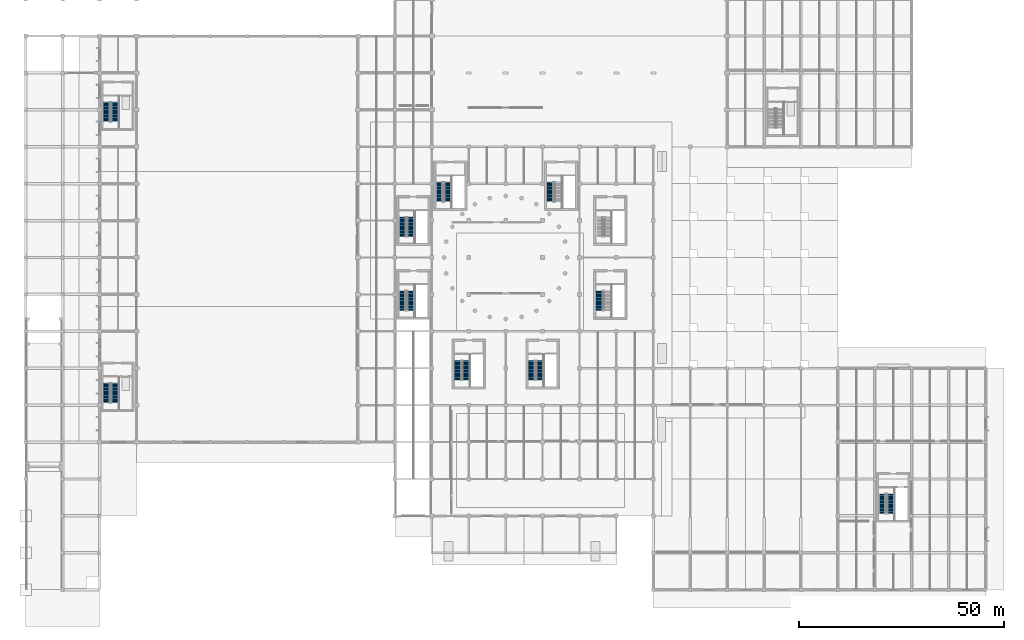
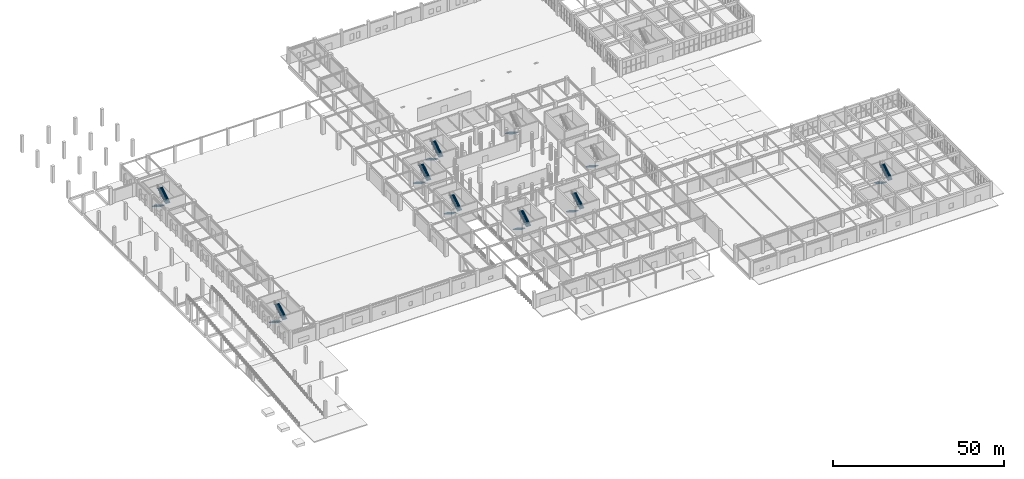
# One storey, part 70 of 91: 18 stair flights, 10 elements without a shape of their own.
"""IFC4 building model written with IfcOpenShell, lengths in metres."""

from ifc_helpers import new_model, si_unit, direction, frame, origin, place, context, subcontext, project, spatial, polyline, outline, extrude, material, layer, layer_set, type_object, element, aggregate, save


model = new_model("IFC4")

# Units and contexts
model_context = context("Model", 3, precision=1e-05, world=origin(), true_north=direction((0.0, 1.0)))
body_context = subcontext(model_context, "Body", "Model", "MODEL_VIEW")
ifc_project = project(units=[si_unit("LENGTHUNIT", "METRE"), si_unit("AREAUNIT", "SQUARE_METRE"), si_unit("VOLUMEUNIT", "CUBIC_METRE"), si_unit("PLANEANGLEUNIT", "RADIAN"), si_unit("MASSUNIT", "GRAM", prefix="KILO")], contexts=[model_context])

# Site, building, storey
site_placement = place(None, origin())
site = spatial("IfcSite", under=ifc_project, at=site_placement, CompositionType="ELEMENT")
building_placement = place(site_placement, origin())
building = spatial("IfcBuilding", under=site, at=building_placement, Name="Dornveld Trade and Exhibition Forum", CompositionType="ELEMENT")
storey_placement = place(building_placement, origin())
storey = spatial("IfcBuildingStorey", under=building, at=storey_placement, Name="L00", CompositionType="ELEMENT", Elevation=0.0)

# Stair, stair flights
ifc_material_1 = material(Name="Concrete C40/50", Category="concrete")
stair_type_1 = type_object("IfcStairType", Name="ST-2RET-600A", PredefinedType="HALF_TURN_STAIR", material=ifc_material_1)
stair_1_placement = place(storey_placement, origin())
stair_1 = element("IfcStair", 1, at=stair_1_placement, inside=storey, type_object=stair_type_1, Name="CORE-03 escape stair L00 to L01", PredefinedType="HALF_TURN_STAIR")
ifc_material_2 = material(Name="Concrete C40/50", Category="concrete")
ifc_layer_1 = layer(ifc_material_2, 0.179931640625)
ifc_layer_set_1 = layer_set([ifc_layer_1], Name="Concrete C40/50")
stair_flight_type_1 = type_object("IfcStairFlightType", Name="STF-155", PredefinedType="STRAIGHT", material=ifc_layer_set_1)
stair_flight_1_placement = place(storey_placement, frame((100.8798828125, 99.35009765625, 0.0), z_axis=(0.0, 0.0, 1.0), x_axis=(0.0, -1.0, 0.0)))
stair_flight_1 = element("IfcStairFlight", 2, at=stair_flight_1_placement, type_object=stair_flight_type_1, Name="ST-03-L00 flight 1", NumberOfRisers=18, NumberOfTreads=17, PredefinedType="STRAIGHT", RiserHeight=0.166666667, TreadLength=0.28, context=body_context, shape_type="SweptSolid", body=[
    extrude(outline(polyline([(0.0, 0.0), (0.0, 0.166748046875), (0.280029296875, 0.166748046875), (0.280029296875, 0.333251953125), (0.56005859375, 0.333251953125), (0.56005859375, 0.5), (0.840087890625, 0.5), (0.840087890625, 0.666748046875), (1.1201171875, 0.666748046875), (1.1201171875, 0.833251953125), (1.39990234375, 0.833251953125), (1.39990234375, 1.0), (1.679931640625, 1.0), (1.679931640625, 1.166748046875), (1.9599609375, 1.166748046875), (1.9599609375, 1.333251953125), (2.239990234375, 1.333251953125), (2.239990234375, 1.5), (2.52001953125, 1.5), (2.52001953125, 1.666748046875), (2.800048828125, 1.666748046875), (2.800048828125, 1.833251953125), (3.080078125, 1.833251953125), (3.080078125, 2.0), (3.360107421875, 2.0), (3.360107421875, 2.166748046875), (3.639892578125, 2.166748046875), (3.639892578125, 2.333251953125), (3.919921875, 2.333251953125), (3.919921875, 2.5), (4.199951171875, 2.5), (4.199951171875, 2.666748046875), (4.47998046875, 2.666748046875), (4.47998046875, 2.833251953125), (4.760009765625, 2.833251953125), (4.760009765625, 3.0), (4.760009765625, 2.647216796875), (0.312744140625, 0.0), (0.0, 0.0)])), frame((0.0, 0.77490234375, 0.0), z_axis=(0.0, -1.0, 0.0), x_axis=(1.0, 0.0, 0.0)), (0.0, 0.0, 1.0), 1.550048828125),
])
stair_flight_2_placement = place(storey_placement, frame((102.820068359375, 94.590087890625, 3.0), z_axis=(0.0, 0.0, 1.0), x_axis=(0.0, 1.0, 0.0)))
stair_flight_2 = element("IfcStairFlight", 3, at=stair_flight_2_placement, type_object=stair_flight_type_1, Name="ST-03-L00 flight 2", NumberOfRisers=18, NumberOfTreads=17, PredefinedType="STRAIGHT", RiserHeight=0.166666667, TreadLength=0.28, context=body_context, shape_type="SweptSolid", body=[
    extrude(outline(polyline([(0.0, 0.0), (0.0, 0.166748046875), (0.280029296875, 0.166748046875), (0.280029296875, 0.333251953125), (0.56005859375, 0.333251953125), (0.56005859375, 0.5), (0.840087890625, 0.5), (0.840087890625, 0.666748046875), (1.1201171875, 0.666748046875), (1.1201171875, 0.833251953125), (1.39990234375, 0.833251953125), (1.39990234375, 1.0), (1.679931640625, 1.0), (1.679931640625, 1.166748046875), (1.9599609375, 1.166748046875), (1.9599609375, 1.333251953125), (2.239990234375, 1.333251953125), (2.239990234375, 1.5), (2.52001953125, 1.5), (2.52001953125, 1.666748046875), (2.800048828125, 1.666748046875), (2.800048828125, 1.833251953125), (3.080078125, 1.833251953125), (3.080078125, 2.0), (3.360107421875, 2.0), (3.360107421875, 2.166748046875), (3.639892578125, 2.166748046875), (3.639892578125, 2.333251953125), (3.919921875, 2.333251953125), (3.919921875, 2.5), (4.199951171875, 2.5), (4.199951171875, 2.666748046875), (4.47998046875, 2.666748046875), (4.47998046875, 2.833251953125), (4.760009765625, 2.833251953125), (4.760009765625, 3.0), (4.760009765625, 2.647216796875), (0.312744140625, 0.0), (0.0, 0.0)])), frame((0.0, 0.77490234375, 0.0), z_axis=(0.0, -1.0, 0.0), x_axis=(1.0, 0.0, 0.0)), (0.0, 0.0, 1.0), 1.550048828125),
])
aggregate(stair_1, [stair_flight_1, stair_flight_2])

stair_2_placement = place(storey_placement, origin())
stair_2 = element("IfcStair", 4, at=stair_2_placement, inside=storey, type_object=stair_type_1, Name="CORE-05 escape stair L00 to L01", PredefinedType="HALF_TURN_STAIR")
stair_flight_3_placement = place(storey_placement, frame((91.8798828125, 72.85009765625, 0.0), z_axis=(0.0, 0.0, 1.0), x_axis=(0.0, -1.0, 0.0)))
stair_flight_3 = element("IfcStairFlight", 5, at=stair_flight_3_placement, type_object=stair_flight_type_1, Name="ST-05-L00 flight 1", NumberOfRisers=18, NumberOfTreads=17, PredefinedType="STRAIGHT", RiserHeight=0.166666667, TreadLength=0.28, context=body_context, shape_type="SweptSolid", body=[
    extrude(outline(polyline([(0.0, 0.0), (0.0, 0.166748046875), (0.280029296875, 0.166748046875), (0.280029296875, 0.333251953125), (0.56005859375, 0.333251953125), (0.56005859375, 0.5), (0.840087890625, 0.5), (0.840087890625, 0.666748046875), (1.1201171875, 0.666748046875), (1.1201171875, 0.833251953125), (1.39990234375, 0.833251953125), (1.39990234375, 1.0), (1.679931640625, 1.0), (1.679931640625, 1.166748046875), (1.9599609375, 1.166748046875), (1.9599609375, 1.333251953125), (2.239990234375, 1.333251953125), (2.239990234375, 1.5), (2.52001953125, 1.5), (2.52001953125, 1.666748046875), (2.800048828125, 1.666748046875), (2.800048828125, 1.833251953125), (3.080078125, 1.833251953125), (3.080078125, 2.0), (3.360107421875, 2.0), (3.360107421875, 2.166748046875), (3.639892578125, 2.166748046875), (3.639892578125, 2.333251953125), (3.919921875, 2.333251953125), (3.919921875, 2.5), (4.199951171875, 2.5), (4.199951171875, 2.666748046875), (4.47998046875, 2.666748046875), (4.47998046875, 2.833251953125), (4.760009765625, 2.833251953125), (4.760009765625, 3.0), (4.760009765625, 2.647216796875), (0.312744140625, 0.0), (0.0, 0.0)])), frame((0.0, 0.77490234375, 0.0), z_axis=(0.0, -1.0, 0.0), x_axis=(1.0, 0.0, 0.0)), (0.0, 0.0, 1.0), 1.550048828125),
])
stair_flight_4_placement = place(storey_placement, frame((93.820068359375, 68.090087890625, 3.0), z_axis=(0.0, 0.0, 1.0), x_axis=(0.0, 1.0, 0.0)))
stair_flight_4 = element("IfcStairFlight", 6, at=stair_flight_4_placement, type_object=stair_flight_type_1, Name="ST-05-L00 flight 2", NumberOfRisers=18, NumberOfTreads=17, PredefinedType="STRAIGHT", RiserHeight=0.166666667, TreadLength=0.28, context=body_context, shape_type="SweptSolid", body=[
    extrude(outline(polyline([(0.0, 0.0), (0.0, 0.166748046875), (0.280029296875, 0.166748046875), (0.280029296875, 0.333251953125), (0.56005859375, 0.333251953125), (0.56005859375, 0.5), (0.840087890625, 0.5), (0.840087890625, 0.666748046875), (1.1201171875, 0.666748046875), (1.1201171875, 0.833251953125), (1.39990234375, 0.833251953125), (1.39990234375, 1.0), (1.679931640625, 1.0), (1.679931640625, 1.166748046875), (1.9599609375, 1.166748046875), (1.9599609375, 1.333251953125), (2.239990234375, 1.333251953125), (2.239990234375, 1.5), (2.52001953125, 1.5), (2.52001953125, 1.666748046875), (2.800048828125, 1.666748046875), (2.800048828125, 1.833251953125), (3.080078125, 1.833251953125), (3.080078125, 2.0), (3.360107421875, 2.0), (3.360107421875, 2.166748046875), (3.639892578125, 2.166748046875), (3.639892578125, 2.333251953125), (3.919921875, 2.333251953125), (3.919921875, 2.5), (4.199951171875, 2.5), (4.199951171875, 2.666748046875), (4.47998046875, 2.666748046875), (4.47998046875, 2.833251953125), (4.760009765625, 2.833251953125), (4.760009765625, 3.0), (4.760009765625, 2.647216796875), (0.312744140625, 0.0), (0.0, 0.0)])), frame((0.0, 0.77490234375, 0.0), z_axis=(0.0, -1.0, 0.0), x_axis=(1.0, 0.0, 0.0)), (0.0, 0.0, 1.0), 1.550048828125),
])
aggregate(stair_2, [stair_flight_3, stair_flight_4])

stair_3_placement = place(storey_placement, origin())
stair_3 = element("IfcStair", 7, at=stair_3_placement, inside=storey, type_object=stair_type_1, Name="CORE-07 escape stair L00 to L01", PredefinedType="HALF_TURN_STAIR")
stair_flight_5_placement = place(storey_placement, frame((123.3798828125, 55.85009765625, 0.0), z_axis=(0.0, 0.0, 1.0), x_axis=(0.0, -1.0, 0.0)))
stair_flight_5 = element("IfcStairFlight", 8, at=stair_flight_5_placement, type_object=stair_flight_type_1, Name="ST-07-L00 flight 1", NumberOfRisers=18, NumberOfTreads=17, PredefinedType="STRAIGHT", RiserHeight=0.166666667, TreadLength=0.28, context=body_context, shape_type="SweptSolid", body=[
    extrude(outline(polyline([(0.0, 0.0), (0.0, 0.166748046875), (0.280029296875, 0.166748046875), (0.280029296875, 0.333251953125), (0.56005859375, 0.333251953125), (0.56005859375, 0.5), (0.840087890625, 0.5), (0.840087890625, 0.666748046875), (1.1201171875, 0.666748046875), (1.1201171875, 0.833251953125), (1.39990234375, 0.833251953125), (1.39990234375, 1.0), (1.679931640625, 1.0), (1.679931640625, 1.166748046875), (1.9599609375, 1.166748046875), (1.9599609375, 1.333251953125), (2.239990234375, 1.333251953125), (2.239990234375, 1.5), (2.52001953125, 1.5), (2.52001953125, 1.666748046875), (2.800048828125, 1.666748046875), (2.800048828125, 1.833251953125), (3.080078125, 1.833251953125), (3.080078125, 2.0), (3.360107421875, 2.0), (3.360107421875, 2.166748046875), (3.639892578125, 2.166748046875), (3.639892578125, 2.333251953125), (3.919921875, 2.333251953125), (3.919921875, 2.5), (4.199951171875, 2.5), (4.199951171875, 2.666748046875), (4.47998046875, 2.666748046875), (4.47998046875, 2.833251953125), (4.760009765625, 2.833251953125), (4.760009765625, 3.0), (4.760009765625, 2.647216796875), (0.312744140625, 0.0), (0.0, 0.0)])), frame((0.0, 0.77490234375, 0.0), z_axis=(0.0, -1.0, 0.0), x_axis=(1.0, 0.0, 0.0)), (0.0, 0.0, 1.0), 1.550048828125),
])
stair_flight_6_placement = place(storey_placement, frame((125.320068359375, 51.090087890625, 3.0), z_axis=(0.0, 0.0, 1.0), x_axis=(0.0, 1.0, 0.0)))
stair_flight_6 = element("IfcStairFlight", 9, at=stair_flight_6_placement, type_object=stair_flight_type_1, Name="ST-07-L00 flight 2", NumberOfRisers=18, NumberOfTreads=17, PredefinedType="STRAIGHT", RiserHeight=0.166666667, TreadLength=0.28, context=body_context, shape_type="SweptSolid", body=[
    extrude(outline(polyline([(0.0, 0.0), (0.0, 0.166748046875), (0.280029296875, 0.166748046875), (0.280029296875, 0.333251953125), (0.56005859375, 0.333251953125), (0.56005859375, 0.5), (0.840087890625, 0.5), (0.840087890625, 0.666748046875), (1.1201171875, 0.666748046875), (1.1201171875, 0.833251953125), (1.39990234375, 0.833251953125), (1.39990234375, 1.0), (1.679931640625, 1.0), (1.679931640625, 1.166748046875), (1.9599609375, 1.166748046875), (1.9599609375, 1.333251953125), (2.239990234375, 1.333251953125), (2.239990234375, 1.5), (2.52001953125, 1.5), (2.52001953125, 1.666748046875), (2.800048828125, 1.666748046875), (2.800048828125, 1.833251953125), (3.080078125, 1.833251953125), (3.080078125, 2.0), (3.360107421875, 2.0), (3.360107421875, 2.166748046875), (3.639892578125, 2.166748046875), (3.639892578125, 2.333251953125), (3.919921875, 2.333251953125), (3.919921875, 2.5), (4.199951171875, 2.5), (4.199951171875, 2.666748046875), (4.47998046875, 2.666748046875), (4.47998046875, 2.833251953125), (4.760009765625, 2.833251953125), (4.760009765625, 3.0), (4.760009765625, 2.647216796875), (0.312744140625, 0.0), (0.0, 0.0)])), frame((0.0, 0.77490234375, 0.0), z_axis=(0.0, -1.0, 0.0), x_axis=(1.0, 0.0, 0.0)), (0.0, 0.0, 1.0), 1.550048828125),
])
aggregate(stair_3, [stair_flight_5, stair_flight_6])

stair_4_placement = place(storey_placement, origin())
stair_4 = element("IfcStair", 10, at=stair_4_placement, inside=storey, type_object=stair_type_1, Name="CORE-09 escape stair L00 to L01", PredefinedType="HALF_TURN_STAIR")
stair_flight_7_placement = place(storey_placement, frame((19.780029296875, 50.35009765625, 0.0), z_axis=(0.0, 0.0, 1.0), x_axis=(0.0, -1.0, 0.0)))
stair_flight_7 = element("IfcStairFlight", 11, at=stair_flight_7_placement, type_object=stair_flight_type_1, Name="ST-09-L00 flight 1", NumberOfRisers=18, NumberOfTreads=17, PredefinedType="STRAIGHT", RiserHeight=0.166666667, TreadLength=0.28, context=body_context, shape_type="SweptSolid", body=[
    extrude(outline(polyline([(0.0, 0.0), (0.0, 0.166748046875), (0.280029296875, 0.166748046875), (0.280029296875, 0.333251953125), (0.56005859375, 0.333251953125), (0.56005859375, 0.5), (0.840087890625, 0.5), (0.840087890625, 0.666748046875), (1.1201171875, 0.666748046875), (1.1201171875, 0.833251953125), (1.39990234375, 0.833251953125), (1.39990234375, 1.0), (1.679931640625, 1.0), (1.679931640625, 1.166748046875), (1.9599609375, 1.166748046875), (1.9599609375, 1.333251953125), (2.239990234375, 1.333251953125), (2.239990234375, 1.5), (2.52001953125, 1.5), (2.52001953125, 1.666748046875), (2.800048828125, 1.666748046875), (2.800048828125, 1.833251953125), (3.080078125, 1.833251953125), (3.080078125, 2.0), (3.360107421875, 2.0), (3.360107421875, 2.166748046875), (3.639892578125, 2.166748046875), (3.639892578125, 2.333251953125), (3.919921875, 2.333251953125), (3.919921875, 2.5), (4.199951171875, 2.5), (4.199951171875, 2.666748046875), (4.47998046875, 2.666748046875), (4.47998046875, 2.833251953125), (4.760009765625, 2.833251953125), (4.760009765625, 3.0), (4.760009765625, 2.647216796875), (0.312744140625, 0.0), (0.0, 0.0)])), frame((0.0, 0.77490234375, 0.0), z_axis=(0.0, -1.0, 0.0), x_axis=(1.0, 0.0, 0.0)), (0.0, 0.0, 1.0), 1.550048828125),
])
stair_flight_8_placement = place(storey_placement, frame((21.719970703125, 45.590087890625, 3.0), z_axis=(0.0, 0.0, 1.0), x_axis=(0.0, 1.0, 0.0)))
stair_flight_8 = element("IfcStairFlight", 12, at=stair_flight_8_placement, type_object=stair_flight_type_1, Name="ST-09-L00 flight 2", NumberOfRisers=18, NumberOfTreads=17, PredefinedType="STRAIGHT", RiserHeight=0.166666667, TreadLength=0.28, context=body_context, shape_type="SweptSolid", body=[
    extrude(outline(polyline([(0.0, 0.0), (0.0, 0.166748046875), (0.280029296875, 0.166748046875), (0.280029296875, 0.333251953125), (0.56005859375, 0.333251953125), (0.56005859375, 0.5), (0.840087890625, 0.5), (0.840087890625, 0.666748046875), (1.1201171875, 0.666748046875), (1.1201171875, 0.833251953125), (1.39990234375, 0.833251953125), (1.39990234375, 1.0), (1.679931640625, 1.0), (1.679931640625, 1.166748046875), (1.9599609375, 1.166748046875), (1.9599609375, 1.333251953125), (2.239990234375, 1.333251953125), (2.239990234375, 1.5), (2.52001953125, 1.5), (2.52001953125, 1.666748046875), (2.800048828125, 1.666748046875), (2.800048828125, 1.833251953125), (3.080078125, 1.833251953125), (3.080078125, 2.0), (3.360107421875, 2.0), (3.360107421875, 2.166748046875), (3.639892578125, 2.166748046875), (3.639892578125, 2.333251953125), (3.919921875, 2.333251953125), (3.919921875, 2.5), (4.199951171875, 2.5), (4.199951171875, 2.666748046875), (4.47998046875, 2.666748046875), (4.47998046875, 2.833251953125), (4.760009765625, 2.833251953125), (4.760009765625, 3.0), (4.760009765625, 2.647216796875), (0.312744140625, 0.0), (0.0, 0.0)])), frame((0.0, 0.77490234375, 0.0), z_axis=(0.0, -1.0, 0.0), x_axis=(1.0, 0.0, 0.0)), (0.0, 0.0, 1.0), 1.550048828125),
])
aggregate(stair_4, [stair_flight_7, stair_flight_8])

stair_5_placement = place(storey_placement, origin())
stair_5 = element("IfcStair", 13, at=stair_5_placement, inside=storey, type_object=stair_type_1, Name="CORE-11 escape stair L00 to L01", PredefinedType="HALF_TURN_STAIR")
stair_flight_9_placement = place(storey_placement, frame((208.8798828125, 23.35009765625, 0.0), z_axis=(0.0, 0.0, 1.0), x_axis=(0.0, -1.0, 0.0)))
stair_flight_9 = element("IfcStairFlight", 14, at=stair_flight_9_placement, type_object=stair_flight_type_1, Name="ST-11-L00 flight 1", NumberOfRisers=18, NumberOfTreads=17, PredefinedType="STRAIGHT", RiserHeight=0.166666667, TreadLength=0.28, context=body_context, shape_type="SweptSolid", body=[
    extrude(outline(polyline([(0.0, 0.0), (0.0, 0.166748046875), (0.280029296875, 0.166748046875), (0.280029296875, 0.333251953125), (0.56005859375, 0.333251953125), (0.56005859375, 0.5), (0.840087890625, 0.5), (0.840087890625, 0.666748046875), (1.1201171875, 0.666748046875), (1.1201171875, 0.833251953125), (1.39990234375, 0.833251953125), (1.39990234375, 1.0), (1.679931640625, 1.0), (1.679931640625, 1.166748046875), (1.9599609375, 1.166748046875), (1.9599609375, 1.333251953125), (2.239990234375, 1.333251953125), (2.239990234375, 1.5), (2.52001953125, 1.5), (2.52001953125, 1.666748046875), (2.800048828125, 1.666748046875), (2.800048828125, 1.833251953125), (3.080078125, 1.833251953125), (3.080078125, 2.0), (3.360107421875, 2.0), (3.360107421875, 2.166748046875), (3.639892578125, 2.166748046875), (3.639892578125, 2.333251953125), (3.919921875, 2.333251953125), (3.919921875, 2.5), (4.199951171875, 2.5), (4.199951171875, 2.666748046875), (4.47998046875, 2.666748046875), (4.47998046875, 2.833251953125), (4.760009765625, 2.833251953125), (4.760009765625, 3.0), (4.760009765625, 2.647216796875), (0.312744140625, 0.0), (0.0, 0.0)])), frame((0.0, 0.77490234375, 0.0), z_axis=(0.0, -1.0, 0.0), x_axis=(1.0, 0.0, 0.0)), (0.0, 0.0, 1.0), 1.550048828125),
])
stair_flight_10_placement = place(storey_placement, frame((210.820068359375, 18.590087890625, 3.0), z_axis=(0.0, 0.0, 1.0), x_axis=(0.0, 1.0, 0.0)))
stair_flight_10 = element("IfcStairFlight", 15, at=stair_flight_10_placement, type_object=stair_flight_type_1, Name="ST-11-L00 flight 2", NumberOfRisers=18, NumberOfTreads=17, PredefinedType="STRAIGHT", RiserHeight=0.166666667, TreadLength=0.28, context=body_context, shape_type="SweptSolid", body=[
    extrude(outline(polyline([(0.0, 0.0), (0.0, 0.166748046875), (0.280029296875, 0.166748046875), (0.280029296875, 0.333251953125), (0.56005859375, 0.333251953125), (0.56005859375, 0.5), (0.840087890625, 0.5), (0.840087890625, 0.666748046875), (1.1201171875, 0.666748046875), (1.1201171875, 0.833251953125), (1.39990234375, 0.833251953125), (1.39990234375, 1.0), (1.679931640625, 1.0), (1.679931640625, 1.166748046875), (1.9599609375, 1.166748046875), (1.9599609375, 1.333251953125), (2.239990234375, 1.333251953125), (2.239990234375, 1.5), (2.52001953125, 1.5), (2.52001953125, 1.666748046875), (2.800048828125, 1.666748046875), (2.800048828125, 1.833251953125), (3.080078125, 1.833251953125), (3.080078125, 2.0), (3.360107421875, 2.0), (3.360107421875, 2.166748046875), (3.639892578125, 2.166748046875), (3.639892578125, 2.333251953125), (3.919921875, 2.333251953125), (3.919921875, 2.5), (4.199951171875, 2.5), (4.199951171875, 2.666748046875), (4.47998046875, 2.666748046875), (4.47998046875, 2.833251953125), (4.760009765625, 2.833251953125), (4.760009765625, 3.0), (4.760009765625, 2.647216796875), (0.312744140625, 0.0), (0.0, 0.0)])), frame((0.0, 0.77490234375, 0.0), z_axis=(0.0, -1.0, 0.0), x_axis=(1.0, 0.0, 0.0)), (0.0, 0.0, 1.0), 1.550048828125),
])
aggregate(stair_5, [stair_flight_9, stair_flight_10])

# Stair, stair flight
ifc_material_3 = material(Name="Concrete C40/50", Category="concrete")
stair_type_2 = type_object("IfcStairType", Name="ST-2RET-600B", PredefinedType="HALF_TURN_STAIR", material=ifc_material_3)
stair_6_placement = place(storey_placement, origin())
stair_6 = element("IfcStair", 16, at=stair_6_placement, inside=storey, type_object=stair_type_2, Name="CORE-02 escape stair L00 to L01", PredefinedType="HALF_TURN_STAIR")
ifc_material_4 = material(Name="Concrete C40/50", Category="concrete")
ifc_layer_2 = layer(ifc_material_4, 0.179931640625)
ifc_layer_set_2 = layer_set([ifc_layer_2], Name="Concrete C40/50")
stair_flight_type_2 = type_object("IfcStairFlightType", Name="STF-162", PredefinedType="STRAIGHT", material=ifc_layer_set_2)
stair_flight_11_placement = place(storey_placement, frame((127.8798828125, 99.35009765625, 0.0), z_axis=(0.0, 0.0, 1.0), x_axis=(0.0, -1.0, 0.0)))
stair_flight_11 = element("IfcStairFlight", 17, at=stair_flight_11_placement, type_object=stair_flight_type_2, Name="ST-02-L00 flight 1", NumberOfRisers=18, NumberOfTreads=17, PredefinedType="STRAIGHT", RiserHeight=0.166666667, TreadLength=0.28, context=body_context, shape_type="SweptSolid", body=[
    extrude(outline(polyline([(0.0, 0.0), (0.0, 0.166748046875), (0.280029296875, 0.166748046875), (0.280029296875, 0.333251953125), (0.56005859375, 0.333251953125), (0.56005859375, 0.5), (0.840087890625, 0.5), (0.840087890625, 0.666748046875), (1.1201171875, 0.666748046875), (1.1201171875, 0.833251953125), (1.39990234375, 0.833251953125), (1.39990234375, 1.0), (1.679931640625, 1.0), (1.679931640625, 1.166748046875), (1.9599609375, 1.166748046875), (1.9599609375, 1.333251953125), (2.239990234375, 1.333251953125), (2.239990234375, 1.5), (2.52001953125, 1.5), (2.52001953125, 1.666748046875), (2.800048828125, 1.666748046875), (2.800048828125, 1.833251953125), (3.080078125, 1.833251953125), (3.080078125, 2.0), (3.360107421875, 2.0), (3.360107421875, 2.166748046875), (3.639892578125, 2.166748046875), (3.639892578125, 2.333251953125), (3.919921875, 2.333251953125), (3.919921875, 2.5), (4.199951171875, 2.5), (4.199951171875, 2.666748046875), (4.47998046875, 2.666748046875), (4.47998046875, 2.833251953125), (4.760009765625, 2.833251953125), (4.760009765625, 3.0), (4.760009765625, 2.647216796875), (0.312744140625, 0.0), (0.0, 0.0)])), frame((0.0, 0.81005859375, 0.0), z_axis=(0.0, -1.0, 0.0), x_axis=(1.0, 0.0, 0.0)), (0.0, 0.0, 1.0), 1.6201171875),
])
aggregate(stair_6, [stair_flight_11])

# Stair, stair flights
stair_7_placement = place(storey_placement, origin())
stair_7 = element("IfcStair", 18, at=stair_7_placement, inside=storey, type_object=stair_type_2, Name="CORE-04 escape stair L00 to L01", PredefinedType="HALF_TURN_STAIR")
stair_flight_12_placement = place(storey_placement, frame((91.8798828125, 90.85009765625, 0.0), z_axis=(0.0, 0.0, 1.0), x_axis=(0.0, -1.0, 0.0)))
stair_flight_12 = element("IfcStairFlight", 19, at=stair_flight_12_placement, type_object=stair_flight_type_2, Name="ST-04-L00 flight 1", NumberOfRisers=18, NumberOfTreads=17, PredefinedType="STRAIGHT", RiserHeight=0.166666667, TreadLength=0.28, context=body_context, shape_type="SweptSolid", body=[
    extrude(outline(polyline([(0.0, 0.0), (0.0, 0.166748046875), (0.280029296875, 0.166748046875), (0.280029296875, 0.333251953125), (0.56005859375, 0.333251953125), (0.56005859375, 0.5), (0.840087890625, 0.5), (0.840087890625, 0.666748046875), (1.1201171875, 0.666748046875), (1.1201171875, 0.833251953125), (1.39990234375, 0.833251953125), (1.39990234375, 1.0), (1.679931640625, 1.0), (1.679931640625, 1.166748046875), (1.9599609375, 1.166748046875), (1.9599609375, 1.333251953125), (2.239990234375, 1.333251953125), (2.239990234375, 1.5), (2.52001953125, 1.5), (2.52001953125, 1.666748046875), (2.800048828125, 1.666748046875), (2.800048828125, 1.833251953125), (3.080078125, 1.833251953125), (3.080078125, 2.0), (3.360107421875, 2.0), (3.360107421875, 2.166748046875), (3.639892578125, 2.166748046875), (3.639892578125, 2.333251953125), (3.919921875, 2.333251953125), (3.919921875, 2.5), (4.199951171875, 2.5), (4.199951171875, 2.666748046875), (4.47998046875, 2.666748046875), (4.47998046875, 2.833251953125), (4.760009765625, 2.833251953125), (4.760009765625, 3.0), (4.760009765625, 2.647216796875), (0.312744140625, 0.0), (0.0, 0.0)])), frame((0.0, 0.81005859375, 0.0), z_axis=(0.0, -1.0, 0.0), x_axis=(1.0, 0.0, 0.0)), (0.0, 0.0, 1.0), 1.6201171875),
])
stair_flight_13_placement = place(storey_placement, frame((93.820068359375, 86.090087890625, 3.0), z_axis=(0.0, 0.0, 1.0), x_axis=(0.0, 1.0, 0.0)))
stair_flight_13 = element("IfcStairFlight", 20, at=stair_flight_13_placement, type_object=stair_flight_type_2, Name="ST-04-L00 flight 2", NumberOfRisers=18, NumberOfTreads=17, PredefinedType="STRAIGHT", RiserHeight=0.166666667, TreadLength=0.28, context=body_context, shape_type="SweptSolid", body=[
    extrude(outline(polyline([(0.0, 0.0), (0.0, 0.166748046875), (0.280029296875, 0.166748046875), (0.280029296875, 0.333251953125), (0.56005859375, 0.333251953125), (0.56005859375, 0.5), (0.840087890625, 0.5), (0.840087890625, 0.666748046875), (1.1201171875, 0.666748046875), (1.1201171875, 0.833251953125), (1.39990234375, 0.833251953125), (1.39990234375, 1.0), (1.679931640625, 1.0), (1.679931640625, 1.166748046875), (1.9599609375, 1.166748046875), (1.9599609375, 1.333251953125), (2.239990234375, 1.333251953125), (2.239990234375, 1.5), (2.52001953125, 1.5), (2.52001953125, 1.666748046875), (2.800048828125, 1.666748046875), (2.800048828125, 1.833251953125), (3.080078125, 1.833251953125), (3.080078125, 2.0), (3.360107421875, 2.0), (3.360107421875, 2.166748046875), (3.639892578125, 2.166748046875), (3.639892578125, 2.333251953125), (3.919921875, 2.333251953125), (3.919921875, 2.5), (4.199951171875, 2.5), (4.199951171875, 2.666748046875), (4.47998046875, 2.666748046875), (4.47998046875, 2.833251953125), (4.760009765625, 2.833251953125), (4.760009765625, 3.0), (4.760009765625, 2.647216796875), (0.312744140625, 0.0), (0.0, 0.0)])), frame((0.0, 0.81005859375, 0.0), z_axis=(0.0, -1.0, 0.0), x_axis=(1.0, 0.0, 0.0)), (0.0, 0.0, 1.0), 1.6201171875),
])
aggregate(stair_7, [stair_flight_12, stair_flight_13])

stair_8_placement = place(storey_placement, origin())
stair_8 = element("IfcStair", 21, at=stair_8_placement, inside=storey, type_object=stair_type_2, Name="CORE-06 escape stair L00 to L01", PredefinedType="HALF_TURN_STAIR")
stair_flight_14_placement = place(storey_placement, frame((105.3798828125, 55.85009765625, 0.0), z_axis=(0.0, 0.0, 1.0), x_axis=(0.0, -1.0, 0.0)))
stair_flight_14 = element("IfcStairFlight", 22, at=stair_flight_14_placement, type_object=stair_flight_type_2, Name="ST-06-L00 flight 1", NumberOfRisers=18, NumberOfTreads=17, PredefinedType="STRAIGHT", RiserHeight=0.166666667, TreadLength=0.28, context=body_context, shape_type="SweptSolid", body=[
    extrude(outline(polyline([(0.0, 0.0), (0.0, 0.166748046875), (0.280029296875, 0.166748046875), (0.280029296875, 0.333251953125), (0.56005859375, 0.333251953125), (0.56005859375, 0.5), (0.840087890625, 0.5), (0.840087890625, 0.666748046875), (1.1201171875, 0.666748046875), (1.1201171875, 0.833251953125), (1.39990234375, 0.833251953125), (1.39990234375, 1.0), (1.679931640625, 1.0), (1.679931640625, 1.166748046875), (1.9599609375, 1.166748046875), (1.9599609375, 1.333251953125), (2.239990234375, 1.333251953125), (2.239990234375, 1.5), (2.52001953125, 1.5), (2.52001953125, 1.666748046875), (2.800048828125, 1.666748046875), (2.800048828125, 1.833251953125), (3.080078125, 1.833251953125), (3.080078125, 2.0), (3.360107421875, 2.0), (3.360107421875, 2.166748046875), (3.639892578125, 2.166748046875), (3.639892578125, 2.333251953125), (3.919921875, 2.333251953125), (3.919921875, 2.5), (4.199951171875, 2.5), (4.199951171875, 2.666748046875), (4.47998046875, 2.666748046875), (4.47998046875, 2.833251953125), (4.760009765625, 2.833251953125), (4.760009765625, 3.0), (4.760009765625, 2.647216796875), (0.312744140625, 0.0), (0.0, 0.0)])), frame((0.0, 0.81005859375, 0.0), z_axis=(0.0, -1.0, 0.0), x_axis=(1.0, 0.0, 0.0)), (0.0, 0.0, 1.0), 1.6201171875),
])
stair_flight_15_placement = place(storey_placement, frame((107.320068359375, 51.090087890625, 3.0), z_axis=(0.0, 0.0, 1.0), x_axis=(0.0, 1.0, 0.0)))
stair_flight_15 = element("IfcStairFlight", 23, at=stair_flight_15_placement, type_object=stair_flight_type_2, Name="ST-06-L00 flight 2", NumberOfRisers=18, NumberOfTreads=17, PredefinedType="STRAIGHT", RiserHeight=0.166666667, TreadLength=0.28, context=body_context, shape_type="SweptSolid", body=[
    extrude(outline(polyline([(0.0, 0.0), (0.0, 0.166748046875), (0.280029296875, 0.166748046875), (0.280029296875, 0.333251953125), (0.56005859375, 0.333251953125), (0.56005859375, 0.5), (0.840087890625, 0.5), (0.840087890625, 0.666748046875), (1.1201171875, 0.666748046875), (1.1201171875, 0.833251953125), (1.39990234375, 0.833251953125), (1.39990234375, 1.0), (1.679931640625, 1.0), (1.679931640625, 1.166748046875), (1.9599609375, 1.166748046875), (1.9599609375, 1.333251953125), (2.239990234375, 1.333251953125), (2.239990234375, 1.5), (2.52001953125, 1.5), (2.52001953125, 1.666748046875), (2.800048828125, 1.666748046875), (2.800048828125, 1.833251953125), (3.080078125, 1.833251953125), (3.080078125, 2.0), (3.360107421875, 2.0), (3.360107421875, 2.166748046875), (3.639892578125, 2.166748046875), (3.639892578125, 2.333251953125), (3.919921875, 2.333251953125), (3.919921875, 2.5), (4.199951171875, 2.5), (4.199951171875, 2.666748046875), (4.47998046875, 2.666748046875), (4.47998046875, 2.833251953125), (4.760009765625, 2.833251953125), (4.760009765625, 3.0), (4.760009765625, 2.647216796875), (0.312744140625, 0.0), (0.0, 0.0)])), frame((0.0, 0.81005859375, 0.0), z_axis=(0.0, -1.0, 0.0), x_axis=(1.0, 0.0, 0.0)), (0.0, 0.0, 1.0), 1.6201171875),
])
aggregate(stair_8, [stair_flight_14, stair_flight_15])

# Stair, stair flight
stair_9_placement = place(storey_placement, origin())
stair_9 = element("IfcStair", 24, at=stair_9_placement, inside=storey, type_object=stair_type_2, Name="CORE-08 escape stair L00 to L01", PredefinedType="HALF_TURN_STAIR")
stair_flight_16_placement = place(storey_placement, frame((139.8798828125, 72.85009765625, 0.0), z_axis=(0.0, 0.0, 1.0), x_axis=(0.0, -1.0, 0.0)))
stair_flight_16 = element("IfcStairFlight", 25, at=stair_flight_16_placement, type_object=stair_flight_type_2, Name="ST-08-L00 flight 1", NumberOfRisers=18, NumberOfTreads=17, PredefinedType="STRAIGHT", RiserHeight=0.166666667, TreadLength=0.28, context=body_context, shape_type="SweptSolid", body=[
    extrude(outline(polyline([(0.0, 0.0), (0.0, 0.166748046875), (0.280029296875, 0.166748046875), (0.280029296875, 0.333251953125), (0.56005859375, 0.333251953125), (0.56005859375, 0.5), (0.840087890625, 0.5), (0.840087890625, 0.666748046875), (1.1201171875, 0.666748046875), (1.1201171875, 0.833251953125), (1.39990234375, 0.833251953125), (1.39990234375, 1.0), (1.679931640625, 1.0), (1.679931640625, 1.166748046875), (1.9599609375, 1.166748046875), (1.9599609375, 1.333251953125), (2.239990234375, 1.333251953125), (2.239990234375, 1.5), (2.52001953125, 1.5), (2.52001953125, 1.666748046875), (2.800048828125, 1.666748046875), (2.800048828125, 1.833251953125), (3.080078125, 1.833251953125), (3.080078125, 2.0), (3.360107421875, 2.0), (3.360107421875, 2.166748046875), (3.639892578125, 2.166748046875), (3.639892578125, 2.333251953125), (3.919921875, 2.333251953125), (3.919921875, 2.5), (4.199951171875, 2.5), (4.199951171875, 2.666748046875), (4.47998046875, 2.666748046875), (4.47998046875, 2.833251953125), (4.760009765625, 2.833251953125), (4.760009765625, 3.0), (4.760009765625, 2.647216796875), (0.312744140625, 0.0), (0.0, 0.0)])), frame((0.0, 0.81005859375, 0.0), z_axis=(0.0, -1.0, 0.0), x_axis=(1.0, 0.0, 0.0)), (0.0, 0.0, 1.0), 1.6201171875),
])
aggregate(stair_9, [stair_flight_16])

# Stair, stair flights
stair_10_placement = place(storey_placement, origin())
stair_10 = element("IfcStair", 26, at=stair_10_placement, inside=storey, type_object=stair_type_2, Name="CORE-10 escape stair L00 to L01", PredefinedType="HALF_TURN_STAIR")
stair_flight_17_placement = place(storey_placement, frame((19.780029296875, 118.85009765625, 0.0), z_axis=(0.0, 0.0, 1.0), x_axis=(0.0, -1.0, 0.0)))
stair_flight_17 = element("IfcStairFlight", 27, at=stair_flight_17_placement, type_object=stair_flight_type_2, Name="ST-10-L00 flight 1", NumberOfRisers=18, NumberOfTreads=17, PredefinedType="STRAIGHT", RiserHeight=0.166666667, TreadLength=0.28, context=body_context, shape_type="SweptSolid", body=[
    extrude(outline(polyline([(0.0, 0.0), (0.0, 0.166748046875), (0.280029296875, 0.166748046875), (0.280029296875, 0.333251953125), (0.56005859375, 0.333251953125), (0.56005859375, 0.5), (0.840087890625, 0.5), (0.840087890625, 0.666748046875), (1.1201171875, 0.666748046875), (1.1201171875, 0.833251953125), (1.39990234375, 0.833251953125), (1.39990234375, 1.0), (1.679931640625, 1.0), (1.679931640625, 1.166748046875), (1.9599609375, 1.166748046875), (1.9599609375, 1.333251953125), (2.239990234375, 1.333251953125), (2.239990234375, 1.5), (2.52001953125, 1.5), (2.52001953125, 1.666748046875), (2.800048828125, 1.666748046875), (2.800048828125, 1.833251953125), (3.080078125, 1.833251953125), (3.080078125, 2.0), (3.360107421875, 2.0), (3.360107421875, 2.166748046875), (3.639892578125, 2.166748046875), (3.639892578125, 2.333251953125), (3.919921875, 2.333251953125), (3.919921875, 2.5), (4.199951171875, 2.5), (4.199951171875, 2.666748046875), (4.47998046875, 2.666748046875), (4.47998046875, 2.833251953125), (4.760009765625, 2.833251953125), (4.760009765625, 3.0), (4.760009765625, 2.647216796875), (0.312744140625, 0.0), (0.0, 0.0)])), frame((0.0, 0.81005859375, 0.0), z_axis=(0.0, -1.0, 0.0), x_axis=(1.0, 0.0, 0.0)), (0.0, 0.0, 1.0), 1.6201171875),
])
stair_flight_18_placement = place(storey_placement, frame((21.719970703125, 114.090087890625, 3.0), z_axis=(0.0, 0.0, 1.0), x_axis=(0.0, 1.0, 0.0)))
stair_flight_18 = element("IfcStairFlight", 28, at=stair_flight_18_placement, type_object=stair_flight_type_2, Name="ST-10-L00 flight 2", NumberOfRisers=18, NumberOfTreads=17, PredefinedType="STRAIGHT", RiserHeight=0.166666667, TreadLength=0.28, context=body_context, shape_type="SweptSolid", body=[
    extrude(outline(polyline([(0.0, 0.0), (0.0, 0.166748046875), (0.280029296875, 0.166748046875), (0.280029296875, 0.333251953125), (0.56005859375, 0.333251953125), (0.56005859375, 0.5), (0.840087890625, 0.5), (0.840087890625, 0.666748046875), (1.1201171875, 0.666748046875), (1.1201171875, 0.833251953125), (1.39990234375, 0.833251953125), (1.39990234375, 1.0), (1.679931640625, 1.0), (1.679931640625, 1.166748046875), (1.9599609375, 1.166748046875), (1.9599609375, 1.333251953125), (2.239990234375, 1.333251953125), (2.239990234375, 1.5), (2.52001953125, 1.5), (2.52001953125, 1.666748046875), (2.800048828125, 1.666748046875), (2.800048828125, 1.833251953125), (3.080078125, 1.833251953125), (3.080078125, 2.0), (3.360107421875, 2.0), (3.360107421875, 2.166748046875), (3.639892578125, 2.166748046875), (3.639892578125, 2.333251953125), (3.919921875, 2.333251953125), (3.919921875, 2.5), (4.199951171875, 2.5), (4.199951171875, 2.666748046875), (4.47998046875, 2.666748046875), (4.47998046875, 2.833251953125), (4.760009765625, 2.833251953125), (4.760009765625, 3.0), (4.760009765625, 2.647216796875), (0.312744140625, 0.0), (0.0, 0.0)])), frame((0.0, 0.81005859375, 0.0), z_axis=(0.0, -1.0, 0.0), x_axis=(1.0, 0.0, 0.0)), (0.0, 0.0, 1.0), 1.6201171875),
])
aggregate(stair_10, [stair_flight_17, stair_flight_18])

save(model, "model.ifc")
